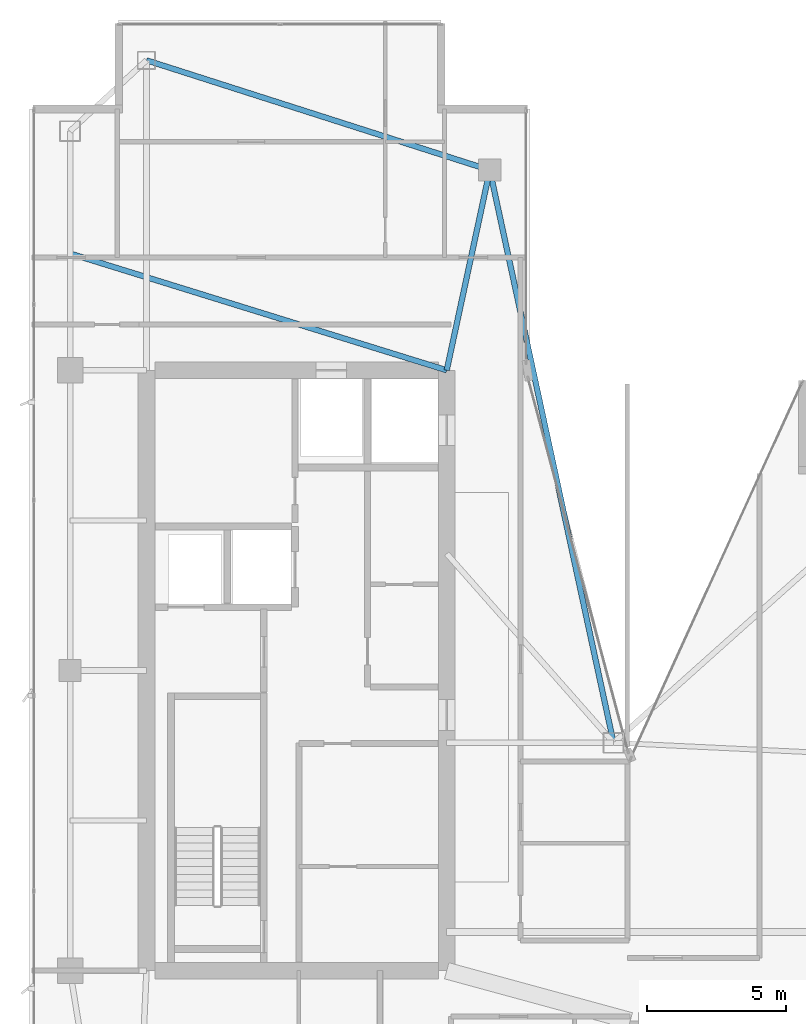
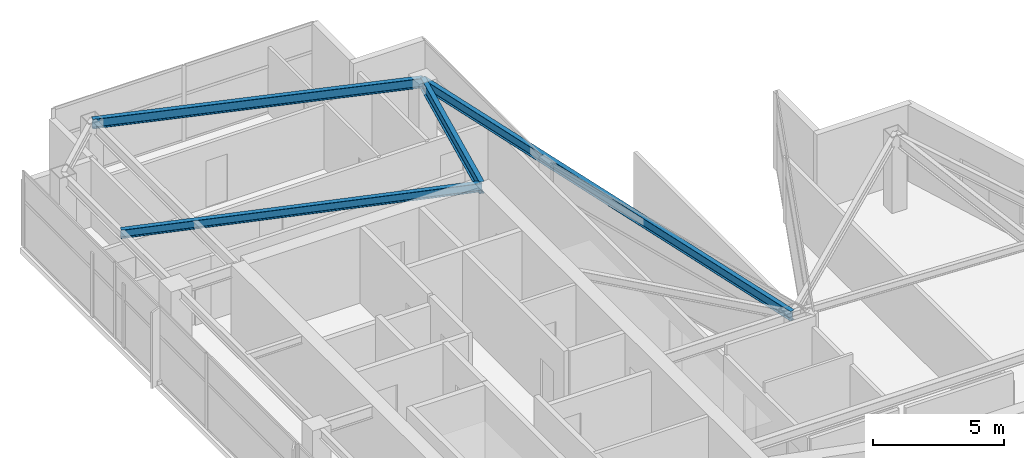
# One storey, part 18 of 27: 4 beams.
"""IFC4 building model written with IfcOpenShell, lengths in metres."""

from ifc_helpers import new_model, si_unit, direction, frame, origin, origin_2d, place, context, subcontext, project, spatial, i_section, extrude, material, material_profile, profile_set, type_object, element, save


model = new_model("IFC4")

# Units and contexts
model_context = context("Model", 3, precision=1e-05, world=origin(), true_north=direction((0.0, 1.0)))
body_context = subcontext(model_context, "Body", "Model", "MODEL_VIEW")
ifc_project = project(units=[si_unit("LENGTHUNIT", "METRE"), si_unit("AREAUNIT", "SQUARE_METRE"), si_unit("VOLUMEUNIT", "CUBIC_METRE"), si_unit("PLANEANGLEUNIT", "RADIAN"), si_unit("MASSUNIT", "GRAM", prefix="KILO")], contexts=[model_context])

# Site, building, storey
site_placement = place(None, origin())
site = spatial("IfcSite", under=ifc_project, at=site_placement, CompositionType="ELEMENT")
building_placement = place(site_placement, origin())
building = spatial("IfcBuilding", under=site, at=building_placement, Name="Calvorn Quay Hotel", CompositionType="ELEMENT")
storey_placement = place(building_placement, frame((0.0, 0.0, 291.10009765625)))
storey = spatial("IfcBuildingStorey", under=building, at=storey_placement, Name="L72", CompositionType="ELEMENT", Elevation=291.10009765625)

# Beams
ifc_material_1 = material(Name="Steel Q355B", Category="steel")
ifc_material_profile_1 = material_profile(ifc_material_1, i_section(OverallWidth=0.199951171875, OverallDepth=0.550048828125, WebThickness=0.010009765625, FlangeThickness=0.01611328125, FilletRadius=0.01806640625, at=origin_2d()), Name="HN550x200x10x16")
ifc_profile_set_1 = profile_set([ifc_material_profile_1], Name="Steel Q355B")
beam_type_1 = type_object("IfcBeamType", Name="BM-GIRD-UPP", PredefinedType="BEAM", material=ifc_profile_set_1)
beam_1_placement = place(storey_placement, frame((16.550048828125, 45.60009765625, 3.264892578125), z_axis=(-0.210457140491, -0.97760308511, 0.0), x_axis=(0.97760308511, -0.210457140491, 0.0)))
element("IfcBeam", 1, at=beam_1_placement, inside=storey, type_object=beam_type_1, Name="Beam BG-L72-W6", PredefinedType="BEAM", context=body_context, shape_type="SweptSolid", body=[
    extrude(i_section(OverallWidth=0.199951171875, OverallDepth=0.550048828125, WebThickness=0.010009765625, FlangeThickness=0.01611328125, FilletRadius=0.01806640625, at=origin_2d()), origin(), (0.0, 0.0, 1.0), 7.365234375),
])
ifc_material_2 = material(Name="Steel Q355B", Category="steel")
ifc_material_profile_2 = material_profile(ifc_material_2, i_section(OverallWidth=0.199951171875, OverallDepth=0.39990234375, WebThickness=0.008056640625, FlangeThickness=0.012939453125, FilletRadius=0.01611328125, at=origin_2d()), Name="HN400x200x8x13")
ifc_profile_set_2 = profile_set([ifc_material_profile_2], Name="Steel Q355B")
beam_type_2 = type_object("IfcBeamType", Name="BM-JOIST-TYP", PredefinedType="JOIST", material=ifc_profile_set_2)
beam_2_placement = place(storey_placement, frame((1.449951171875, 42.60009765625, 3.33984375), z_axis=(0.955163702122, -0.296078202759, 0.0), x_axis=(0.296078202759, 0.955163702122, 0.0)))
element("IfcBeam", 2, at=beam_2_placement, inside=storey, type_object=beam_type_2, Name="Beam BJ-L72-W2", PredefinedType="JOIST", context=body_context, shape_type="SweptSolid", body=[
    extrude(i_section(OverallWidth=0.199951171875, OverallDepth=0.39990234375, WebThickness=0.008056640625, FlangeThickness=0.012939453125, FilletRadius=0.01611328125, at=origin_2d()), origin(), (0.0, 0.0, 1.0), 14.18603515625),
])
ifc_material_3 = material(Name="Steel Q355B", Category="steel")
ifc_material_profile_3 = material_profile(ifc_material_3, i_section(OverallWidth=0.199951171875, OverallDepth=0.449951171875, WebThickness=0.009033203125, FlangeThickness=0.013916015625, FilletRadius=0.01611328125, at=origin_2d()), Name="HN450x200x9x14")
ifc_profile_set_3 = profile_set([ifc_material_profile_3], Name="Steel Q355B")
beam_type_3 = type_object("IfcBeamType", Name="BM-SPANDREL-Z3", PredefinedType="SPANDREL", material=ifc_profile_set_3)
beam_3_placement = place(storey_placement, frame((4.199951171875, 49.550048828125, 3.31494140625), z_axis=(0.952470702374, -0.304630203885, 0.0), x_axis=(0.304630203885, 0.952470702374, 0.0)))
element("IfcBeam", 3, at=beam_3_placement, inside=storey, type_object=beam_type_3, Name="Beam BSP-L72-W6", PredefinedType="SPANDREL", context=body_context, shape_type="SweptSolid", body=[
    extrude(i_section(OverallWidth=0.199951171875, OverallDepth=0.449951171875, WebThickness=0.009033203125, FlangeThickness=0.013916015625, FilletRadius=0.01611328125, at=origin_2d()), origin(), (0.0, 0.0, 1.0), 12.96630859375),
])
beam_4_placement = place(storey_placement, frame((16.550048828125, 45.60009765625, 3.31494140625), z_axis=(0.211145848376, -0.977454567084, 0.0), x_axis=(0.977454567084, 0.211145848376, 0.0)))
element("IfcBeam", 4, at=beam_4_placement, inside=storey, type_object=beam_type_3, Name="Beam BSP-L72-W7", PredefinedType="SPANDREL", context=body_context, shape_type="SweptSolid", body=[
    extrude(i_section(OverallWidth=0.199951171875, OverallDepth=0.449951171875, WebThickness=0.009033203125, FlangeThickness=0.013916015625, FilletRadius=0.01611328125, at=origin_2d()), origin(), (0.0, 0.0, 1.0), 21.0751953125),
])

save(model, "model.ifc")
